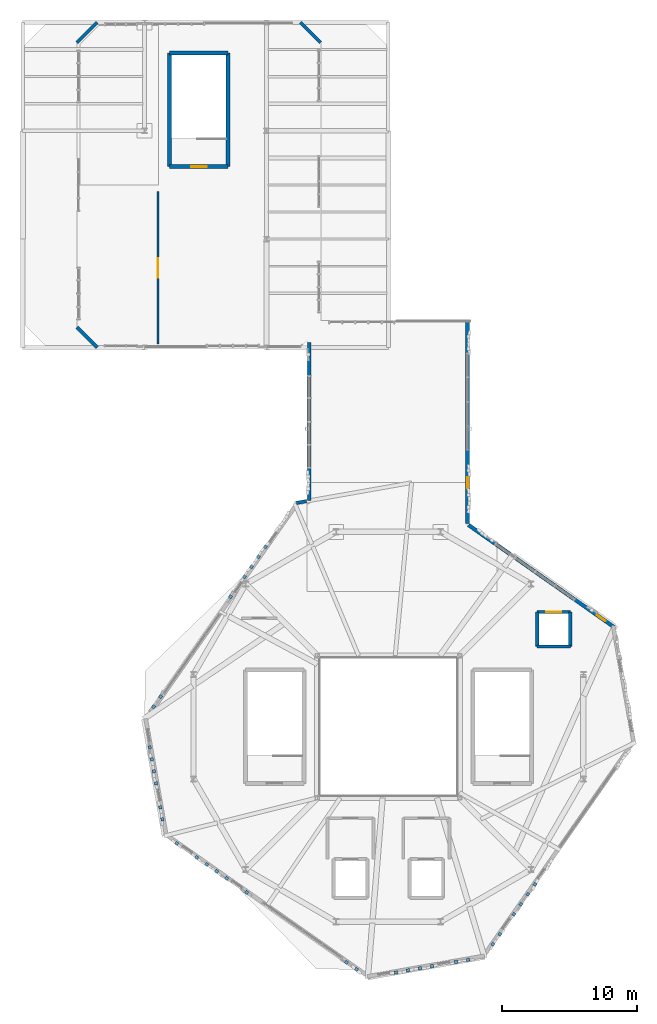
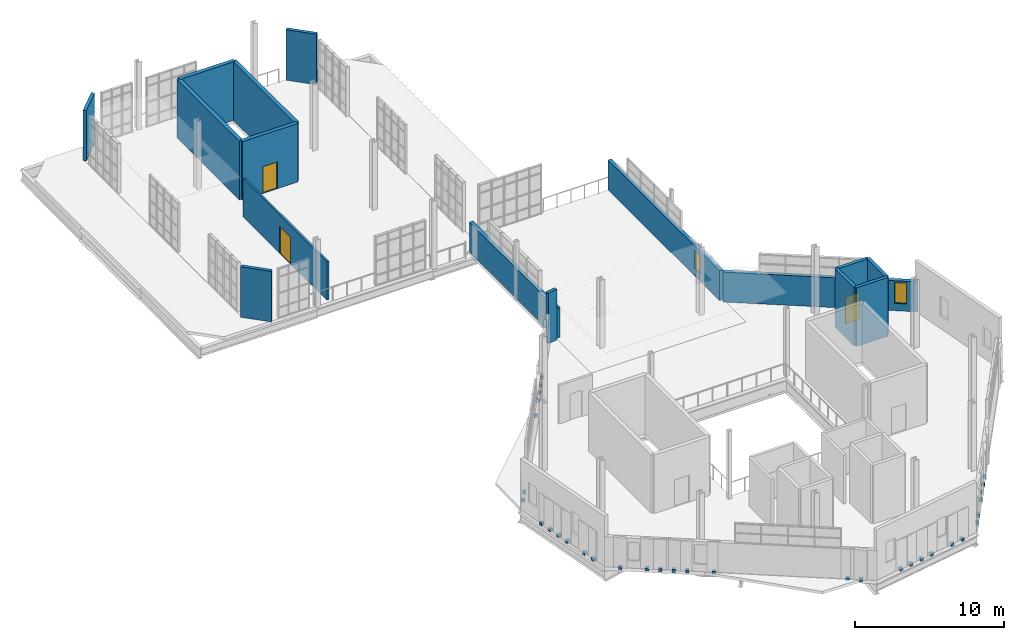
# One storey, part 33 of 36: 33 discrete accessories, 16 walls, 3 doors, 2 windows, 5 openings.
"""IFC4 building model written with IfcOpenShell, lengths in metres."""

import ifcopenshell
import ifcopenshell.guid

model = None  # the IFC model being written
_history = None  # IfcOwnerHistory: only IFC2X3 demands one
_inside = {}  # id of a spatial element -> (the spatial element, [elements in it])
_under = {}  # id of a project, library or spatial element -> (it, [spatial elements below it])
_declared = {}  # id of a project -> (the project, [libraries it declares])
_typed = {}  # id of a type object -> (the type object, [elements of that type])
_made_of = {}  # id of a material, layer set ... -> (it, [elements and type objects made of it])


def new_model(schema):
    """Start an empty IFC model of exactly this schema.

    Asked for "IFC4X3", IfcOpenShell would pick the latest addendum, in which some entities
    have other attributes; the version numbers below select the first issue.
    IFC2X3 requires an IfcOwnerHistory on every rooted entity: one is made here for all.
    """
    global model, _history
    if schema == "IFC4X3":
        model = ifcopenshell.file(schema_version=(4, 3, 0, 0))
    else:
        model = ifcopenshell.file(schema=schema)
    _inside.clear()
    _under.clear()
    _declared.clear()
    _typed.clear()
    _made_of.clear()
    _history = None
    if model.schema == "IFC2X3":
        org = make("IfcOrganization", Name="unknown")
        user = make(
            "IfcPersonAndOrganization",
            ThePerson=make("IfcPerson", FamilyName="unknown"),
            TheOrganization=org,
        )
        app = make(
            "IfcApplication",
            ApplicationDeveloper=org,
            Version="unknown",
            ApplicationFullName="unknown",
            ApplicationIdentifier="unknown",
        )
        _history = make(
            "IfcOwnerHistory",
            OwningUser=user,
            OwningApplication=app,
            ChangeAction="ADDED",
            CreationDate=0,
        )
    return model


def make(cls, **values):
    """One entity of the class cls with the attributes given. An attribute that is None is left unset."""
    return model.create_entity(
        cls, **{name: value for name, value in values.items() if value is not None}
    )


def rooted(cls, **values):
    """An entity with a GlobalId (a new one), such as an element, a storey or a relation."""
    return make(cls, GlobalId=ifcopenshell.guid.new(), OwnerHistory=_history, **values)


def si_unit(unit_type, name, prefix=None):
    """IfcSIUnit, for example si_unit("LENGTHUNIT", "METRE", prefix="MILLI")."""
    return make("IfcSIUnit", UnitType=unit_type, Prefix=prefix, Name=name)


def assignment(units):
    """IfcUnitAssignment: the units of a project."""
    return None if units is None else make("IfcUnitAssignment", Units=units)


def point(xyz):
    """IfcCartesianPoint."""
    return None if xyz is None else make("IfcCartesianPoint", Coordinates=xyz)


def direction(xyz):
    """IfcDirection."""
    return None if xyz is None else make("IfcDirection", DirectionRatios=xyz)


def frame(location, z_axis=None, x_axis=None):
    """IfcAxis2Placement3D, a coordinate frame: its origin and axes. An axis left out is left unset."""
    return make(
        "IfcAxis2Placement3D",
        Location=point(location),
        Axis=direction(z_axis),
        RefDirection=direction(x_axis),
    )


def frame_2d(location, x_axis=None):
    """IfcAxis2Placement2D, a coordinate frame in the plane: its origin and x axis."""
    return make(
        "IfcAxis2Placement2D", Location=point(location), RefDirection=direction(x_axis)
    )


def origin():
    """The frame at (0, 0, 0) with its axes left unset."""
    return frame((0.0, 0.0, 0.0))


def place(relative_to, where):
    """IfcLocalPlacement: puts the frame where relative to a parent placement (None: the world)."""
    return make(
        "IfcLocalPlacement", PlacementRelTo=relative_to, RelativePlacement=where
    )


def context(
    kind, dimensions, precision=None, world=None, true_north=None, identifier=None
):
    """IfcGeometricRepresentationContext, for example the 3D "Model" context."""
    return make(
        "IfcGeometricRepresentationContext",
        ContextIdentifier=identifier,
        ContextType=kind,
        CoordinateSpaceDimension=dimensions,
        Precision=precision,
        WorldCoordinateSystem=world,
        TrueNorth=true_north,
    )


def subcontext(parent, identifier, kind, view, scale=None):
    """IfcGeometricRepresentationSubContext, for example "Body" below "Model"."""
    return make(
        "IfcGeometricRepresentationSubContext",
        ContextIdentifier=identifier,
        ContextType=kind,
        ParentContext=parent,
        TargetScale=scale,
        TargetView=view,
    )


def project(units=None, contexts=None):
    """IfcProject with its units and contexts."""
    return rooted(
        "IfcProject",
        Name="project",
        RepresentationContexts=contexts,
        UnitsInContext=assignment(units),
    )


def spatial(cls, under=None, at=None, **own):
    """A site, building, storey or space (cls), placed at a placement, below another one or the project."""
    s = rooted(cls, ObjectPlacement=at, **own)
    if under is not None:
        _under.setdefault(under.id(), (under, []))[1].append(s)
    return s


def polyline(points):
    """IfcPolyline through the points."""
    return make("IfcPolyline", Points=[point(p) for p in points])


def profile(cls, at=None, kind="AREA", **sizes):
    """A parametric profile (cls). Its sizes go by their IFC names, for example OverallWidth=200.0."""
    return make(cls, ProfileType=kind, Position=at, **sizes)


def rectangle(**sizes):
    """IfcRectangleProfileDef."""
    return profile("IfcRectangleProfileDef", **sizes)


def outline(outer, holes=None, kind="AREA"):
    """IfcArbitraryClosedProfileDef: a profile drawn as a closed curve; with holes, ...WithVoids."""
    if holes is None:
        return make("IfcArbitraryClosedProfileDef", ProfileType=kind, OuterCurve=outer)
    return make(
        "IfcArbitraryProfileDefWithVoids",
        ProfileType=kind,
        OuterCurve=outer,
        InnerCurves=holes,
    )


def extrude(swept, where, along, depth):
    """IfcExtrudedAreaSolid: the profile swept, set in the frame where, extruded along a direction by depth."""
    return make(
        "IfcExtrudedAreaSolid",
        SweptArea=swept,
        Position=where,
        ExtrudedDirection=direction(along),
        Depth=depth,
    )


def shape(context_of_items, identifier, shape_type, items):
    """IfcShapeRepresentation: the items that make up one representation, for example the "Body"."""
    return make(
        "IfcShapeRepresentation",
        ContextOfItems=context_of_items,
        RepresentationIdentifier=identifier,
        RepresentationType=shape_type,
        Items=items,
    )


def material(Name=None, Category=None):
    """IfcMaterial."""
    return make("IfcMaterial", Name=Name, Category=Category)


def layer(
    of_material, thickness, ventilated=None, Name=None, Category=None, Priority=None
):
    """IfcMaterialLayer: one layer of a wall or slab, of a material (None: an air gap)."""
    return make(
        "IfcMaterialLayer",
        Material=of_material,
        LayerThickness=thickness,
        IsVentilated=ventilated,
        Name=Name,
        Category=Category,
        Priority=Priority,
    )


def layer_set(layers, Name=None):
    """IfcMaterialLayerSet."""
    return make("IfcMaterialLayerSet", MaterialLayers=layers, LayerSetName=Name)


def made_of(thing, what):
    """Note that an element or type object is made of a material, layer set ...; save() writes the relation."""
    if what is not None:
        _made_of.setdefault(what.id(), (what, []))[1].append(thing)
    return thing


def type_object(cls, material=None, **own):
    """A type object (cls), such as IfcWallType, which elements share."""
    return made_of(rooted(cls, **own), material)


def element(
    cls,
    number,
    at=None,
    inside=None,
    cuts=None,
    type_object=None,
    material=None,
    context=None,
    identifier="Body",
    shape_type=None,
    held_by="IfcProductDefinitionShape",
    body=None,
    shapes=None,
    **own,
):
    """One element of the class cls, such as IfcWall. Its Tag is "e" and its number.

    at: its placement. inside: the storey or other place that contains it. cuts: it is an
    opening in that element (IfcRelVoidsElement). A single representation is given by context,
    identifier, shape_type and body (its items); several are given by shapes. held_by: the class
    of the entity that holds the representations. save() writes the other relations.
    """
    e = rooted(cls, Tag="e%d" % number, ObjectPlacement=at, **own)
    if body is not None:
        shapes = [shape(context, identifier, shape_type, body)]
    if shapes is not None:
        e.Representation = make(held_by, Representations=shapes)
    if inside is not None:
        _inside.setdefault(inside.id(), (inside, []))[1].append(e)
    if cuts is not None:
        rooted(
            "IfcRelVoidsElement", RelatingBuildingElement=cuts, RelatedOpeningElement=e
        )
    if type_object is not None:
        _typed.setdefault(type_object.id(), (type_object, []))[1].append(e)
    return made_of(e, material)


def fill(opening, filler):
    """IfcRelFillsElement: the door or window that sits in an opening."""
    return rooted(
        "IfcRelFillsElement",
        RelatingOpeningElement=opening,
        RelatedBuildingElement=filler,
    )


def aggregate(whole, parts):
    """IfcRelAggregates: a whole, such as a stair, and the parts it consists of."""
    return rooted("IfcRelAggregates", RelatingObject=whole, RelatedObjects=parts)


def save(model, path):
    """Write the relations noted so far, then the file.

    IfcRelAggregates (storeys below a building ...), IfcRelContainedInSpatialStructure (elements
    in a storey), IfcRelDefinesByType, IfcRelAssociatesMaterial and IfcRelDeclares: one each for
    every whole, place, type object, material and project.
    """
    for whole, parts in _under.values():
        aggregate(whole, parts)
    for where, things in _inside.values():
        rooted(
            "IfcRelContainedInSpatialStructure",
            RelatedElements=things,
            RelatingStructure=where,
        )
    for kind, things in _typed.values():
        rooted("IfcRelDefinesByType", RelatedObjects=things, RelatingType=kind)
    for what, things in _made_of.values():
        rooted("IfcRelAssociatesMaterial", RelatedObjects=things, RelatingMaterial=what)
    for by, libraries in _declared.values():
        rooted("IfcRelDeclares", RelatingContext=by, RelatedDefinitions=libraries)
    model.write(path)


model = new_model("IFC4")

# Units and contexts
model_context = context("Model", 3, precision=1e-05, world=origin(), true_north=direction((0.0, 1.0)))
body_context = subcontext(model_context, "Body", "Model", "MODEL_VIEW")
ifc_project = project(units=[si_unit("LENGTHUNIT", "METRE"), si_unit("AREAUNIT", "SQUARE_METRE"), si_unit("VOLUMEUNIT", "CUBIC_METRE"), si_unit("PLANEANGLEUNIT", "RADIAN"), si_unit("MASSUNIT", "GRAM", prefix="KILO"), si_unit("THERMODYNAMICTEMPERATUREUNIT", "KELVIN"), si_unit("POWERUNIT", "WATT")], contexts=[model_context])

# Site, building, storey
site_placement = place(None, origin())
site = spatial("IfcSite", under=ifc_project, at=site_placement, CompositionType="ELEMENT")
building_placement = place(site_placement, origin())
building = spatial("IfcBuilding", under=site, at=building_placement, Name="Zelmaris Science Centre", CompositionType="ELEMENT")
storey_placement = place(building_placement, frame((0.0, 0.0, 25.199951171875)))
storey = spatial("IfcBuildingStorey", under=building, at=storey_placement, Name="L05", CompositionType="ELEMENT", Elevation=25.199951171875)

# Wall, opening, door
ifc_material_1 = material(Name="Concrete C40/50", Category="concrete")
ifc_layer_1 = layer(ifc_material_1, 0.300048828125, Name="Concrete C40/50")
ifc_layer_set_1 = layer_set([ifc_layer_1], Name="Concrete C40/50")
wall_type_1 = type_object("IfcWallType", Name="Core Shear Wall CW-S1 300mm", PredefinedType="SOLIDWALL", material=ifc_layer_set_1)
wall_1_placement = place(storey_placement, frame((69.14990234375, 77.35009765625, 0.0), z_axis=(0.0, 0.0, 1.0), x_axis=(-1.0, 0.0, 0.0)))
wall_1 = element("IfcWall", 1, at=wall_1_placement, inside=storey, type_object=wall_type_1, Name="L05 ST-3 core shear wall near", PredefinedType="SOLIDWALL", context=body_context, shape_type="SweptSolid", body=[
    extrude(rectangle(XDim=4.2998046875, YDim=0.300048828125, at=frame_2d((2.14990234375, 0.0))), origin(), (0.0, 0.0, 1.0), 4.800048828125),
])
opening_1_placement = place(wall_1_placement, frame((1.574951171875, 0.0, 0.0)))
opening_1 = element("IfcOpeningElement", 2, at=opening_1_placement, cuts=wall_1, Name="Opening D-FD90", PredefinedType="OPENING", context=body_context, shape_type="SweptSolid", body=[
    extrude(rectangle(XDim=1.14990234375, YDim=2.199951171875, at=frame_2d((0.574951171875, 1.10009765625))), frame((0.0, 0.159912109375, 0.0), z_axis=(0.0, -1.0, 0.0), x_axis=(1.0, 0.0, 0.0)), (0.0, 0.0, 1.0), 0.320068359375),
])
ifc_material_2 = material(Name="Steel ASTM A36", Category="steel")
door_type_1 = type_object("IfcDoorType", Name="Interior Door D-FD90 1150x2200", OperationType="NOTDEFINED", PredefinedType="DOOR", material=ifc_material_2)
door_1_placement = place(opening_1_placement, origin())
door_1 = element("IfcDoor", 3, at=door_1_placement, inside=storey, type_object=door_type_1, Name="L05 ST-3 exit stair fire door", OperationType="SINGLE_SWING_LEFT", OverallHeight=2.199951171875, OverallWidth=1.14990234375, PredefinedType="DOOR", context=body_context, shape_type="SweptSolid", body=[
    extrude(rectangle(XDim=1.14990234375, YDim=2.199951171875, at=frame_2d((0.574951171875, 1.10009765625))), frame((0.0, 0.02490234375, 0.0), z_axis=(0.0, -1.0, 0.0), x_axis=(1.0, 0.0, 0.0)), (0.0, 0.0, 1.0), 0.050048828125),
])
fill(opening_1, door_1)

# Walls
wall_2_placement = place(storey_placement, frame((69.14990234375, 77.35009765625, 0.0), z_axis=(0.0, 0.0, 1.0), x_axis=(0.0, 1.0, 0.0)))
element("IfcWall", 4, at=wall_2_placement, inside=storey, type_object=wall_type_1, Name="L05 ST-3 core shear wall east", PredefinedType="SOLIDWALL", context=body_context, shape_type="SweptSolid", body=[
    extrude(rectangle(XDim=8.39990234375, YDim=0.300048828125, at=frame_2d((4.199951171875, 0.0))), origin(), (0.0, 0.0, 1.0), 4.800048828125),
])
wall_3_placement = place(storey_placement, frame((69.14990234375, 85.75, 0.0), z_axis=(0.0, 0.0, 1.0), x_axis=(-1.0, 0.0, 0.0)))
element("IfcWall", 5, at=wall_3_placement, inside=storey, type_object=wall_type_1, Name="L05 ST-3 core shear wall far", PredefinedType="SOLIDWALL", context=body_context, shape_type="SweptSolid", body=[
    extrude(rectangle(XDim=4.2998046875, YDim=0.300048828125, at=frame_2d((2.14990234375, 0.0))), origin(), (0.0, 0.0, 1.0), 4.800048828125),
])
wall_4_placement = place(storey_placement, frame((64.85009765625, 77.35009765625, 0.0), z_axis=(0.0, 0.0, 1.0), x_axis=(0.0, 1.0, 0.0)))
element("IfcWall", 6, at=wall_4_placement, inside=storey, type_object=wall_type_1, Name="L05 ST-3 core shear wall west", PredefinedType="SOLIDWALL", context=body_context, shape_type="SweptSolid", body=[
    extrude(rectangle(XDim=8.39990234375, YDim=0.300048828125, at=frame_2d((4.199951171875, 0.0))), origin(), (0.0, 0.0, 1.0), 4.800048828125),
])
ifc_layer_2 = layer(ifc_material_1, 0.25, Name="Concrete C40/50")
ifc_layer_set_2 = layer_set([ifc_layer_2], Name="Concrete C40/50")
wall_type_2 = type_object("IfcWallType", Name="Core Shear Wall CW-S2 250mm", PredefinedType="SOLIDWALL", material=ifc_layer_set_2)
wall_5_placement = place(storey_placement, frame((91.97509765625, 41.925048828125, 0.0), z_axis=(0.0, 0.0, 1.0), x_axis=(1.0, 0.0, 0.0)))
element("IfcWall", 7, at=wall_5_placement, inside=storey, type_object=wall_type_2, Name="L05 LP-01 lift shaft wall -y", PredefinedType="SOLIDWALL", context=body_context, shape_type="SweptSolid", body=[
    extrude(rectangle(XDim=2.449951171875, YDim=0.25, at=frame_2d((1.22509765625, 0.0))), origin(), (0.0, 0.0, 1.0), 4.800048828125),
])
wall_6_placement = place(storey_placement, frame((94.425048828125, 41.925048828125, 0.0), z_axis=(0.0, 0.0, 1.0), x_axis=(0.0, 1.0, 0.0)))
element("IfcWall", 8, at=wall_6_placement, inside=storey, type_object=wall_type_2, Name="L05 LP-01 lift shaft wall +x", PredefinedType="SOLIDWALL", context=body_context, shape_type="SweptSolid", body=[
    extrude(rectangle(XDim=2.550048828125, YDim=0.25, at=frame_2d((1.27490234375, 0.0))), origin(), (0.0, 0.0, 1.0), 4.800048828125),
])

# Wall, opening, door
wall_7_placement = place(storey_placement, frame((94.425048828125, 44.47509765625, 0.0), z_axis=(0.0, 0.0, 1.0), x_axis=(-1.0, 0.0, 0.0)))
wall_7 = element("IfcWall", 9, at=wall_7_placement, inside=storey, type_object=wall_type_2, Name="L05 LP-01 lift shaft wall +y", PredefinedType="SOLIDWALL", context=body_context, shape_type="SweptSolid", body=[
    extrude(rectangle(XDim=2.449951171875, YDim=0.25, at=frame_2d((1.22509765625, 0.0))), origin(), (0.0, 0.0, 1.0), 4.800048828125),
])
opening_2_placement = place(wall_7_placement, frame((0.675048828125, 0.0, 0.0)))
opening_2 = element("IfcOpeningElement", 10, at=opening_2_placement, cuts=wall_7, Name="Opening LD-01", PredefinedType="OPENING", context=body_context, shape_type="SweptSolid", body=[
    extrude(rectangle(XDim=1.10009765625, YDim=2.199951171875, at=frame_2d((0.550048828125, 1.10009765625))), frame((0.0, 0.135009765625, 0.0), z_axis=(0.0, -1.0, 0.0), x_axis=(1.0, 0.0, 0.0)), (0.0, 0.0, 1.0), 0.27001953125),
])
door_type_2 = type_object("IfcDoorType", Name="Interior Door LD-01 1100x2200", OperationType="SLIDING_TO_LEFT", PredefinedType="DOOR", material=ifc_material_2)
door_2_placement = place(opening_2_placement, origin())
door_2 = element("IfcDoor", 11, at=door_2_placement, inside=storey, type_object=door_type_2, Name="Landing door LD-LP-01-L05", OperationType="SLIDING_TO_LEFT", OverallHeight=2.199951171875, OverallWidth=1.10009765625, PredefinedType="DOOR", context=body_context, shape_type="SweptSolid", body=[
    extrude(rectangle(XDim=1.10009765625, YDim=2.199951171875, at=frame_2d((0.550048828125, 1.10009765625))), frame((0.0, 0.02490234375, 0.0), z_axis=(0.0, -1.0, 0.0), x_axis=(1.0, 0.0, 0.0)), (0.0, 0.0, 1.0), 0.050048828125),
])
fill(opening_2, door_2)

# Wall
wall_8_placement = place(storey_placement, frame((91.97509765625, 44.47509765625, 0.0), z_axis=(0.0, 0.0, 1.0), x_axis=(0.0, -1.0, 0.0)))
element("IfcWall", 12, at=wall_8_placement, inside=storey, type_object=wall_type_2, Name="L05 LP-01 lift shaft wall -x", PredefinedType="SOLIDWALL", context=body_context, shape_type="SweptSolid", body=[
    extrude(rectangle(XDim=2.550048828125, YDim=0.25, at=frame_2d((1.27490234375, 0.0))), origin(), (0.0, 0.0, 1.0), 4.800048828125),
])

# Wall, opening, window
ifc_material_3 = material(Name="Precast concrete C40/50", Category="concrete")
ifc_layer_3 = layer(ifc_material_3, 0.280029296875, Name="Precast concrete C40/50")
ifc_layer_set_3 = layer_set([ifc_layer_3], Name="Precast concrete C40/50")
wall_type_3 = type_object("IfcWallType", Name="Exterior Wall EW-05 280mm", PredefinedType="SOLIDWALL", material=ifc_layer_set_3)
wall_9_placement = place(storey_placement, frame((86.83984375, 66.0, 0.0), z_axis=(0.0, 0.0, 1.0), x_axis=(0.000456419989, -0.99999989584, 0.0)))
wall_9 = element("IfcWall", 13, at=wall_9_placement, inside=storey, type_object=wall_type_3, Name="L05 Exterior wall 154", PredefinedType="SOLIDWALL", context=body_context, shape_type="SweptSolid", body=[
    extrude(rectangle(XDim=14.977294921875, YDim=0.280029296875, at=frame_2d((7.48876953125, 0.0))), origin(), (0.0, 0.0, 1.0), 2.449951171875),
])
opening_3_placement = place(wall_9_placement, frame((11.588623046875, 0.0, 0.60009765625)))
opening_3 = element("IfcOpeningElement", 14, at=opening_3_placement, cuts=wall_9, Name="Opening W-TR1", PredefinedType="OPENING", context=body_context, shape_type="SweptSolid", body=[
    extrude(rectangle(XDim=0.800048828125, YDim=1.5, at=frame_2d((0.39990234375, 0.75))), frame((0.0, 0.14990234375, 0.0), z_axis=(0.0, -1.0, 0.0), x_axis=(1.0, 0.0, 0.0)), (0.0, 0.0, 1.0), 0.300048828125),
])
ifc_material_4 = material(Name="Laminated hurricane-rated low-E insulated glazing", Category="glass")
window_type_1 = type_object("IfcWindowType", Name="Window W-TR1 800x1500", PartitioningType="SINGLE_PANEL", PredefinedType="WINDOW", material=ifc_material_4)
window_1_placement = place(opening_3_placement, origin())
window_1 = element("IfcWindow", 15, at=window_1_placement, inside=storey, type_object=window_type_1, Name="L05 Triangular faceted window 106", OverallHeight=1.5, OverallWidth=0.800048828125, PartitioningType="SINGLE_PANEL", PredefinedType="WINDOW", context=body_context, shape_type="SweptSolid", body=[
    extrude(rectangle(XDim=0.800048828125, YDim=1.5, at=frame_2d((0.39990234375, 0.75))), frame((0.0, 0.030029296875, 0.0), z_axis=(0.0, -1.0, 0.0), x_axis=(1.0, 0.0, 0.0)), (0.0, 0.0, 1.0), 0.06005859375),
])
fill(opening_3, window_1)

wall_10_placement = place(storey_placement, frame((86.914794921875, 50.8916015625, 0.0), z_axis=(0.0, 0.0, 1.0), x_axis=(0.818859952537, -0.573993360704, 0.0)))
wall_10 = element("IfcWall", 16, at=wall_10_placement, inside=storey, type_object=wall_type_3, Name="L05 Exterior wall 155", PredefinedType="SOLIDWALL", context=body_context, shape_type="SweptSolid", body=[
    extrude(rectangle(XDim=13.111083984375, YDim=0.280029296875, at=frame_2d((6.5556640625, 0.0))), origin(), (0.0, 0.0, 1.0), 2.449951171875),
])
opening_4_placement = place(wall_10_placement, frame((11.555419921875, 0.0, 0.60009765625)))
opening_4 = element("IfcOpeningElement", 17, at=opening_4_placement, cuts=wall_10, Name="Opening W-TR2", PredefinedType="OPENING", context=body_context, shape_type="SweptSolid", body=[
    extrude(rectangle(XDim=0.800048828125, YDim=1.699951171875, at=frame_2d((0.39990234375, 0.85009765625))), frame((0.0, 0.14990234375, 0.0), z_axis=(0.0, -1.0, 0.0), x_axis=(1.0, 0.0, 0.0)), (0.0, 0.0, 1.0), 0.300048828125),
])
window_type_2 = type_object("IfcWindowType", Name="Window W-TR2 800x1700", PartitioningType="SINGLE_PANEL", PredefinedType="WINDOW", material=ifc_material_4)
window_2_placement = place(opening_4_placement, origin())
window_2 = element("IfcWindow", 18, at=window_2_placement, inside=storey, type_object=window_type_2, Name="L05 Triangular faceted window 107", OverallHeight=1.699951171875, OverallWidth=0.800048828125, PartitioningType="SINGLE_PANEL", PredefinedType="WINDOW", context=body_context, shape_type="SweptSolid", body=[
    extrude(rectangle(XDim=0.800048828125, YDim=1.699951171875, at=frame_2d((0.39990234375, 0.85009765625))), frame((0.0, 0.030029296875, 0.0), z_axis=(0.0, -1.0, 0.0), x_axis=(1.0, 0.0, 0.0)), (0.0, 0.0, 1.0), 0.06005859375),
])
fill(opening_4, window_2)

# Walls
wall_11_placement = place(storey_placement, frame((75.1552734375, 52.689697265625, 0.0), z_axis=(0.0, 0.0, 1.0), x_axis=(0.000376521749, 0.999999929116, 0.0)))
element("IfcWall", 19, at=wall_11_placement, inside=storey, type_object=wall_type_3, Name="L05 Exterior wall 163", PredefinedType="SOLIDWALL", context=body_context, shape_type="SweptSolid", body=[
    extrude(rectangle(XDim=11.67138671875, YDim=0.280029296875, at=frame_2d((5.835693359375, 0.0))), origin(), (0.0, 0.0, 1.0), 2.449951171875),
])
ifc_layer_4 = layer(ifc_material_3, 0.239990234375, Name="Precast concrete C40/50")
ifc_layer_set_4 = layer_set([ifc_layer_4], Name="Precast concrete C40/50")
wall_type_4 = type_object("IfcWallType", Name="Exterior Wall EW-07 240mm", PredefinedType="SOLIDWALL", material=ifc_layer_set_4)
wall_12_placement = place(storey_placement, frame((58.0, 86.49853515625, 0.0), z_axis=(0.0, 0.0, 1.0), x_axis=(0.707106781187, 0.707106781187, 0.0)))
element("IfcWall", 20, at=wall_12_placement, inside=storey, type_object=wall_type_4, Name="L05 Exterior wall 152", PredefinedType="SOLIDWALL", context=body_context, shape_type="SweptSolid", body=[
    extrude(rectangle(XDim=2.123291015625, YDim=0.239990234375, at=frame_2d((1.0615234375, 0.0))), origin(), (0.0, 0.0, 1.0), 4.14013671875),
])
wall_13_placement = place(storey_placement, frame((74.5, 88.0, 0.0), z_axis=(0.0, 0.0, 1.0), x_axis=(0.707106781187, -0.707106781187, 0.0)))
element("IfcWall", 21, at=wall_13_placement, inside=storey, type_object=wall_type_4, Name="L05 Exterior wall 153", PredefinedType="SOLIDWALL", context=body_context, shape_type="SweptSolid", body=[
    extrude(rectangle(XDim=2.119873046875, YDim=0.239990234375, at=frame_2d((1.06005859375, 0.0))), origin(), (0.0, 0.0, 1.0), 4.14013671875),
])
wall_14_placement = place(storey_placement, frame((74.20849609375, 52.522216796875, 0.0), z_axis=(0.0, 0.0, 1.0), x_axis=(0.984633151957, 0.174635494868, 0.0)))
element("IfcWall", 22, at=wall_14_placement, inside=storey, type_object=wall_type_4, Name="L05 Exterior wall 162", PredefinedType="SOLIDWALL", context=body_context, shape_type="SweptSolid", body=[
    extrude(rectangle(XDim=0.75341796875, YDim=0.239990234375, at=frame_2d((0.376708984375, 0.0))), origin(), (0.0, 0.0, 1.0), 4.14013671875),
])
wall_15_placement = place(storey_placement, frame((59.5, 64.0, 0.0), z_axis=(0.0, 0.0, 1.0), x_axis=(-0.707106781187, 0.707106781187, 0.0)))
element("IfcWall", 23, at=wall_15_placement, inside=storey, type_object=wall_type_4, Name="L05 Exterior wall 164", PredefinedType="SOLIDWALL", context=body_context, shape_type="SweptSolid", body=[
    extrude(rectangle(XDim=2.121337890625, YDim=0.239990234375, at=frame_2d((1.060546875, 0.0))), origin(), (0.0, 0.0, 1.0), 4.14013671875),
])

# Wall, opening, door
ifc_material_5 = material(Name="Fire-rated gypsum board on steel studs", Category="steel")
ifc_layer_5 = layer(ifc_material_5, 0.159912109375, Name="Fire-rated gypsum board on steel studs")
ifc_layer_set_5 = layer_set([ifc_layer_5], Name="Fire-rated gypsum board on steel studs")
wall_type_5 = type_object("IfcWallType", Name="Interior Wall PT-08 160mm", PredefinedType="PARTITIONING", material=ifc_layer_set_5)
wall_16_placement = place(storey_placement, frame((63.9951171875, 75.5, 0.0), z_axis=(0.0, 0.0, 1.0), x_axis=(0.0, -1.0, 0.0)))
wall_16 = element("IfcWall", 24, at=wall_16_placement, inside=storey, type_object=wall_type_5, Name="L05 Solar Coelostat Observatory Pavilion partition 71", PredefinedType="PARTITIONING", context=body_context, shape_type="SweptSolid", body=[
    extrude(rectangle(XDim=11.25, YDim=0.159912109375, at=frame_2d((5.625, 0.0))), origin(), (0.0, 0.0, 1.0), 3.150146484375),
])
opening_5_placement = place(wall_16_placement, frame((4.89990234375, 0.0, 0.0)))
opening_5 = element("IfcOpeningElement", 25, at=opening_5_placement, cuts=wall_16, Name="Opening D-IN13", PredefinedType="OPENING", context=body_context, shape_type="SweptSolid", body=[
    extrude(rectangle(XDim=1.449951171875, YDim=2.199951171875, at=frame_2d((0.72509765625, 1.10009765625))), frame((0.0, 0.08984375, 0.0), z_axis=(0.0, -1.0, 0.0), x_axis=(1.0, 0.0, 0.0)), (0.0, 0.0, 1.0), 0.179931640625),
])
door_type_3 = type_object("IfcDoorType", Name="Interior Door D-IN13 1450x2200", OperationType="NOTDEFINED", PredefinedType="DOOR", material=ifc_material_2)
door_3_placement = place(opening_5_placement, origin())
door_3 = element("IfcDoor", 26, at=door_3_placement, inside=storey, type_object=door_type_3, Name="L05 Solar Coelostat Observatory Pavilion door", OperationType="SINGLE_SWING_LEFT", OverallHeight=2.199951171875, OverallWidth=1.449951171875, PredefinedType="DOOR", context=body_context, shape_type="SweptSolid", body=[
    extrude(rectangle(XDim=1.449951171875, YDim=2.199951171875, at=frame_2d((0.72509765625, 1.10009765625))), frame((0.0, 0.02490234375, 0.0), z_axis=(0.0, -1.0, 0.0), x_axis=(1.0, 0.0, 0.0)), (0.0, 0.0, 1.0), 0.050048828125),
])
fill(opening_5, door_3)

# Discrete accessories
ifc_material_6 = material(Name="Galvanised steel ASTM A500 Grade B", Category="steel")
discrete_accessory_type = type_object("IfcDiscreteAccessoryType", Name="Facade Bracket BK-01", PredefinedType="BRACKET", material=ifc_material_6)
discrete_accessory_1_placement = place(storey_placement, frame((0.0, 0.0, -0.139892578125)))
element("IfcDiscreteAccessory", 27, at=discrete_accessory_1_placement, inside=storey, type_object=discrete_accessory_type, Name="L05 Facade anchorage bracket 239", PredefinedType="BRACKET", context=body_context, shape_type="SweptSolid", body=[
    extrude(outline(polyline([(91.785400390625, 24.52880859375), (91.647705078125, 24.33203125), (91.83740234375, 24.19921875), (91.97509765625, 24.395751953125), (91.785400390625, 24.52880859375)])), origin(), (0.0, 0.0, 1.0), 0.239990234375),
])
discrete_accessory_2_placement = place(storey_placement, frame((0.0, 0.0, -0.139892578125)))
element("IfcDiscreteAccessory", 28, at=discrete_accessory_2_placement, inside=storey, type_object=discrete_accessory_type, Name="L05 Facade anchorage bracket 240", PredefinedType="BRACKET", context=body_context, shape_type="SweptSolid", body=[
    extrude(outline(polyline([(91.269287109375, 23.79150390625), (91.131591796875, 23.5947265625), (91.3212890625, 23.4619140625), (91.458984375, 23.65869140625), (91.269287109375, 23.79150390625)])), origin(), (0.0, 0.0, 1.0), 0.239990234375),
])
discrete_accessory_3_placement = place(storey_placement, frame((0.0, 0.0, -0.139892578125)))
element("IfcDiscreteAccessory", 29, at=discrete_accessory_3_placement, inside=storey, type_object=discrete_accessory_type, Name="L05 Facade anchorage bracket 241", PredefinedType="BRACKET", context=body_context, shape_type="SweptSolid", body=[
    extrude(outline(polyline([(90.7529296875, 23.05419921875), (90.615234375, 22.857666015625), (90.804931640625, 22.724853515625), (90.942626953125, 22.92138671875), (90.7529296875, 23.05419921875)])), origin(), (0.0, 0.0, 1.0), 0.239990234375),
])
discrete_accessory_4_placement = place(storey_placement, frame((0.0, 0.0, -0.139892578125)))
element("IfcDiscreteAccessory", 30, at=discrete_accessory_4_placement, inside=storey, type_object=discrete_accessory_type, Name="L05 Facade anchorage bracket 242", PredefinedType="BRACKET", context=body_context, shape_type="SweptSolid", body=[
    extrude(outline(polyline([(90.23681640625, 22.31689453125), (90.09912109375, 22.120361328125), (90.288818359375, 21.987548828125), (90.426513671875, 22.18408203125), (90.23681640625, 22.31689453125)])), origin(), (0.0, 0.0, 1.0), 0.239990234375),
])
discrete_accessory_5_placement = place(storey_placement, frame((0.0, 0.0, -0.139892578125)))
element("IfcDiscreteAccessory", 31, at=discrete_accessory_5_placement, inside=storey, type_object=discrete_accessory_type, Name="L05 Facade anchorage bracket 243", PredefinedType="BRACKET", context=body_context, shape_type="SweptSolid", body=[
    extrude(outline(polyline([(89.204345703125, 20.842529296875), (89.066650390625, 20.64599609375), (89.25634765625, 20.51318359375), (89.39404296875, 20.709716796875), (89.204345703125, 20.842529296875)])), origin(), (0.0, 0.0, 1.0), 0.239990234375),
])
discrete_accessory_6_placement = place(storey_placement, frame((0.0, 0.0, -0.139892578125)))
element("IfcDiscreteAccessory", 32, at=discrete_accessory_6_placement, inside=storey, type_object=discrete_accessory_type, Name="L05 Facade anchorage bracket 244", PredefinedType="BRACKET", context=body_context, shape_type="SweptSolid", body=[
    extrude(outline(polyline([(88.68798828125, 20.105224609375), (88.550537109375, 19.90869140625), (88.740234375, 19.77587890625), (88.877685546875, 19.972412109375), (88.68798828125, 20.105224609375)])), origin(), (0.0, 0.0, 1.0), 0.239990234375),
])
discrete_accessory_7_placement = place(storey_placement, frame((0.0, 0.0, -0.139892578125)))
element("IfcDiscreteAccessory", 33, at=discrete_accessory_7_placement, inside=storey, type_object=discrete_accessory_type, Name="L05 Facade anchorage bracket 245", PredefinedType="BRACKET", context=body_context, shape_type="SweptSolid", body=[
    extrude(outline(polyline([(86.977294921875, 18.933349609375), (86.740966796875, 18.8916015625), (86.78125, 18.66357421875), (87.017578125, 18.705078125), (86.977294921875, 18.933349609375)])), origin(), (0.0, 0.0, 1.0), 0.239990234375),
])
discrete_accessory_8_placement = place(storey_placement, frame((0.0, 0.0, -0.139892578125)))
element("IfcDiscreteAccessory", 34, at=discrete_accessory_8_placement, inside=storey, type_object=discrete_accessory_type, Name="L05 Facade anchorage bracket 246", PredefinedType="BRACKET", context=body_context, shape_type="SweptSolid", body=[
    extrude(outline(polyline([(86.091064453125, 18.777099609375), (85.854736328125, 18.7353515625), (85.89501953125, 18.507080078125), (86.131103515625, 18.548828125), (86.091064453125, 18.777099609375)])), origin(), (0.0, 0.0, 1.0), 0.239990234375),
])
discrete_accessory_9_placement = place(storey_placement, frame((0.0, 0.0, -0.139892578125)))
element("IfcDiscreteAccessory", 35, at=discrete_accessory_9_placement, inside=storey, type_object=discrete_accessory_type, Name="L05 Facade anchorage bracket 247", PredefinedType="BRACKET", context=body_context, shape_type="SweptSolid", body=[
    extrude(outline(polyline([(84.318359375, 18.46435546875), (84.08203125, 18.422607421875), (84.122314453125, 18.194580078125), (84.358642578125, 18.236328125), (84.318359375, 18.46435546875)])), origin(), (0.0, 0.0, 1.0), 0.239990234375),
])
discrete_accessory_10_placement = place(storey_placement, frame((0.0, 0.0, -0.139892578125)))
element("IfcDiscreteAccessory", 36, at=discrete_accessory_10_placement, inside=storey, type_object=discrete_accessory_type, Name="L05 Facade anchorage bracket 248", PredefinedType="BRACKET", context=body_context, shape_type="SweptSolid", body=[
    extrude(outline(polyline([(83.431884765625, 18.30810546875), (83.19580078125, 18.2666015625), (83.23583984375, 18.038330078125), (83.472412109375, 18.080078125), (83.431884765625, 18.30810546875)])), origin(), (0.0, 0.0, 1.0), 0.239990234375),
])
discrete_accessory_11_placement = place(storey_placement, frame((0.0, 0.0, -0.139892578125)))
element("IfcDiscreteAccessory", 37, at=discrete_accessory_11_placement, inside=storey, type_object=discrete_accessory_type, Name="L05 Facade anchorage bracket 249", PredefinedType="BRACKET", context=body_context, shape_type="SweptSolid", body=[
    extrude(outline(polyline([(82.545654296875, 18.15185546875), (82.309326171875, 18.110107421875), (82.349609375, 17.882080078125), (82.5859375, 17.923828125), (82.545654296875, 18.15185546875)])), origin(), (0.0, 0.0, 1.0), 0.239990234375),
])
discrete_accessory_12_placement = place(storey_placement, frame((0.0, 0.0, -0.139892578125)))
element("IfcDiscreteAccessory", 38, at=discrete_accessory_12_placement, inside=storey, type_object=discrete_accessory_type, Name="L05 Facade anchorage bracket 250", PredefinedType="BRACKET", context=body_context, shape_type="SweptSolid", body=[
    extrude(outline(polyline([(81.659423828125, 17.99560546875), (81.423095703125, 17.953857421875), (81.46337890625, 17.725830078125), (81.69970703125, 17.767578125), (81.659423828125, 17.99560546875)])), origin(), (0.0, 0.0, 1.0), 0.239990234375),
])
discrete_accessory_13_placement = place(storey_placement, frame((0.0, 0.0, -0.139892578125)))
element("IfcDiscreteAccessory", 39, at=discrete_accessory_13_placement, inside=storey, type_object=discrete_accessory_type, Name="L05 Facade anchorage bracket 251", PredefinedType="BRACKET", context=body_context, shape_type="SweptSolid", body=[
    extrude(outline(polyline([(78.806884765625, 18.118896484375), (78.610107421875, 18.256591796875), (78.477294921875, 18.06689453125), (78.673828125, 17.92919921875), (78.806884765625, 18.118896484375)])), origin(), (0.0, 0.0, 1.0), 0.239990234375),
])
discrete_accessory_14_placement = place(storey_placement, frame((0.0, 0.0, -0.139892578125)))
element("IfcDiscreteAccessory", 40, at=discrete_accessory_14_placement, inside=storey, type_object=discrete_accessory_type, Name="L05 Facade anchorage bracket 252", PredefinedType="BRACKET", context=body_context, shape_type="SweptSolid", body=[
    extrude(outline(polyline([(78.069580078125, 18.635009765625), (77.872802734375, 18.772705078125), (77.739990234375, 18.5830078125), (77.936767578125, 18.4453125), (78.069580078125, 18.635009765625)])), origin(), (0.0, 0.0, 1.0), 0.239990234375),
])
discrete_accessory_15_placement = place(storey_placement, frame((0.0, 0.0, -0.139892578125)))
element("IfcDiscreteAccessory", 41, at=discrete_accessory_15_placement, inside=storey, type_object=discrete_accessory_type, Name="L05 Facade anchorage bracket 253", PredefinedType="BRACKET", context=body_context, shape_type="SweptSolid", body=[
    extrude(outline(polyline([(70.697021484375, 23.797119140625), (70.50048828125, 23.934814453125), (70.36767578125, 23.7451171875), (70.564208984375, 23.607421875), (70.697021484375, 23.797119140625)])), origin(), (0.0, 0.0, 1.0), 0.239990234375),
])
discrete_accessory_16_placement = place(storey_placement, frame((0.0, 0.0, -0.139892578125)))
element("IfcDiscreteAccessory", 42, at=discrete_accessory_16_placement, inside=storey, type_object=discrete_accessory_type, Name="L05 Facade anchorage bracket 254", PredefinedType="BRACKET", context=body_context, shape_type="SweptSolid", body=[
    extrude(outline(polyline([(69.22265625, 24.82958984375), (69.026123046875, 24.96728515625), (68.893310546875, 24.777587890625), (69.08984375, 24.639892578125), (69.22265625, 24.82958984375)])), origin(), (0.0, 0.0, 1.0), 0.239990234375),
])
discrete_accessory_17_placement = place(storey_placement, frame((0.0, 0.0, -0.139892578125)))
element("IfcDiscreteAccessory", 43, at=discrete_accessory_17_placement, inside=storey, type_object=discrete_accessory_type, Name="L05 Facade anchorage bracket 255", PredefinedType="BRACKET", context=body_context, shape_type="SweptSolid", body=[
    extrude(outline(polyline([(68.4853515625, 25.345947265625), (68.288818359375, 25.4833984375), (68.156005859375, 25.293701171875), (68.3525390625, 25.156005859375), (68.4853515625, 25.345947265625)])), origin(), (0.0, 0.0, 1.0), 0.239990234375),
])
discrete_accessory_18_placement = place(storey_placement, frame((0.0, 0.0, -0.139892578125)))
element("IfcDiscreteAccessory", 44, at=discrete_accessory_18_placement, inside=storey, type_object=discrete_accessory_type, Name="L05 Facade anchorage bracket 256", PredefinedType="BRACKET", context=body_context, shape_type="SweptSolid", body=[
    extrude(outline(polyline([(67.748291015625, 25.862060546875), (67.551513671875, 25.999755859375), (67.418701171875, 25.81005859375), (67.615234375, 25.67236328125), (67.748291015625, 25.862060546875)])), origin(), (0.0, 0.0, 1.0), 0.239990234375),
])
discrete_accessory_19_placement = place(storey_placement, frame((0.0, 0.0, -0.139892578125)))
element("IfcDiscreteAccessory", 45, at=discrete_accessory_19_placement, inside=storey, type_object=discrete_accessory_type, Name="L05 Facade anchorage bracket 257", PredefinedType="BRACKET", context=body_context, shape_type="SweptSolid", body=[
    extrude(outline(polyline([(67.010986328125, 26.37841796875), (66.814208984375, 26.515869140625), (66.681396484375, 26.326171875), (66.878173828125, 26.188720703125), (67.010986328125, 26.37841796875)])), origin(), (0.0, 0.0, 1.0), 0.239990234375),
])
discrete_accessory_20_placement = place(storey_placement, frame((0.0, 0.0, -0.139892578125)))
element("IfcDiscreteAccessory", 46, at=discrete_accessory_20_placement, inside=storey, type_object=discrete_accessory_type, Name="L05 Facade anchorage bracket 258", PredefinedType="BRACKET", context=body_context, shape_type="SweptSolid", body=[
    extrude(outline(polyline([(65.53662109375, 27.41064453125), (65.33984375, 27.54833984375), (65.20703125, 27.358642578125), (65.403564453125, 27.220947265625), (65.53662109375, 27.41064453125)])), origin(), (0.0, 0.0, 1.0), 0.239990234375),
])
discrete_accessory_21_placement = place(storey_placement, frame((0.0, 0.0, -0.139892578125)))
element("IfcDiscreteAccessory", 47, at=discrete_accessory_21_placement, inside=storey, type_object=discrete_accessory_type, Name="L05 Facade anchorage bracket 259", PredefinedType="BRACKET", context=body_context, shape_type="SweptSolid", body=[
    extrude(outline(polyline([(64.4462890625, 29.064208984375), (64.40478515625, 29.300537109375), (64.176513671875, 29.26025390625), (64.21826171875, 29.02392578125), (64.4462890625, 29.064208984375)])), origin(), (0.0, 0.0, 1.0), 0.239990234375),
])
discrete_accessory_22_placement = place(storey_placement, frame((0.0, 0.0, -0.139892578125)))
element("IfcDiscreteAccessory", 48, at=discrete_accessory_22_placement, inside=storey, type_object=discrete_accessory_type, Name="L05 Facade anchorage bracket 260", PredefinedType="BRACKET", context=body_context, shape_type="SweptSolid", body=[
    extrude(outline(polyline([(64.2900390625, 29.950439453125), (64.248291015625, 30.186767578125), (64.020263671875, 30.146484375), (64.06201171875, 29.910400390625), (64.2900390625, 29.950439453125)])), origin(), (0.0, 0.0, 1.0), 0.239990234375),
])
discrete_accessory_23_placement = place(storey_placement, frame((0.0, 0.0, -0.139892578125)))
element("IfcDiscreteAccessory", 49, at=discrete_accessory_23_placement, inside=storey, type_object=discrete_accessory_type, Name="L05 Facade anchorage bracket 261", PredefinedType="BRACKET", context=body_context, shape_type="SweptSolid", body=[
    extrude(outline(polyline([(63.9775390625, 31.72314453125), (63.935791015625, 31.95947265625), (63.707763671875, 31.919189453125), (63.74951171875, 31.682861328125), (63.9775390625, 31.72314453125)])), origin(), (0.0, 0.0, 1.0), 0.239990234375),
])
discrete_accessory_24_placement = place(storey_placement, frame((0.0, 0.0, -0.139892578125)))
element("IfcDiscreteAccessory", 50, at=discrete_accessory_24_placement, inside=storey, type_object=discrete_accessory_type, Name="L05 Facade anchorage bracket 262", PredefinedType="BRACKET", context=body_context, shape_type="SweptSolid", body=[
    extrude(outline(polyline([(63.8212890625, 32.609619140625), (63.779541015625, 32.845703125), (63.551513671875, 32.8056640625), (63.593017578125, 32.569091796875), (63.8212890625, 32.609619140625)])), origin(), (0.0, 0.0, 1.0), 0.239990234375),
])
discrete_accessory_25_placement = place(storey_placement, frame((0.0, 0.0, -0.139892578125)))
element("IfcDiscreteAccessory", 51, at=discrete_accessory_25_placement, inside=storey, type_object=discrete_accessory_type, Name="L05 Facade anchorage bracket 263", PredefinedType="BRACKET", context=body_context, shape_type="SweptSolid", body=[
    extrude(outline(polyline([(63.664794921875, 33.495849609375), (63.623291015625, 33.732177734375), (63.39501953125, 33.69189453125), (63.436767578125, 33.45556640625), (63.664794921875, 33.495849609375)])), origin(), (0.0, 0.0, 1.0), 0.239990234375),
])
discrete_accessory_26_placement = place(storey_placement, frame((0.0, 0.0, -0.139892578125)))
element("IfcDiscreteAccessory", 52, at=discrete_accessory_26_placement, inside=storey, type_object=discrete_accessory_type, Name="L05 Facade anchorage bracket 264", PredefinedType="BRACKET", context=body_context, shape_type="SweptSolid", body=[
    extrude(outline(polyline([(63.508544921875, 34.382080078125), (63.466796875, 34.618408203125), (63.239013671875, 34.578125), (63.280517578125, 34.341796875), (63.508544921875, 34.382080078125)])), origin(), (0.0, 0.0, 1.0), 0.239990234375),
])
discrete_accessory_27_placement = place(storey_placement, frame((0.0, 0.0, -0.139892578125)))
element("IfcDiscreteAccessory", 53, at=discrete_accessory_27_placement, inside=storey, type_object=discrete_accessory_type, Name="L05 Facade anchorage bracket 265", PredefinedType="BRACKET", context=body_context, shape_type="SweptSolid", body=[
    extrude(outline(polyline([(63.688720703125, 37.316162109375), (63.826416015625, 37.5126953125), (63.63671875, 37.6455078125), (63.4990234375, 37.448974609375), (63.688720703125, 37.316162109375)])), origin(), (0.0, 0.0, 1.0), 0.239990234375),
])
discrete_accessory_28_placement = place(storey_placement, frame((0.0, 0.0, -0.139892578125)))
element("IfcDiscreteAccessory", 54, at=discrete_accessory_28_placement, inside=storey, type_object=discrete_accessory_type, Name="L05 Facade anchorage bracket 266", PredefinedType="BRACKET", context=body_context, shape_type="SweptSolid", body=[
    extrude(outline(polyline([(64.205078125, 38.05322265625), (64.342529296875, 38.25), (64.15283203125, 38.3828125), (64.015380859375, 38.18603515625), (64.205078125, 38.05322265625)])), origin(), (0.0, 0.0, 1.0), 0.239990234375),
])
discrete_accessory_29_placement = place(storey_placement, frame((0.0, 0.0, -0.139892578125)))
element("IfcDiscreteAccessory", 55, at=discrete_accessory_29_placement, inside=storey, type_object=discrete_accessory_type, Name="L05 Facade anchorage bracket 267", PredefinedType="BRACKET", context=body_context, shape_type="SweptSolid", body=[
    extrude(outline(polyline([(69.3671875, 45.42578125), (69.5048828125, 45.622314453125), (69.315185546875, 45.755126953125), (69.177490234375, 45.55859375), (69.3671875, 45.42578125)])), origin(), (0.0, 0.0, 1.0), 0.239990234375),
])
discrete_accessory_30_placement = place(storey_placement, frame((0.0, 0.0, -0.139892578125)))
element("IfcDiscreteAccessory", 56, at=discrete_accessory_30_placement, inside=storey, type_object=discrete_accessory_type, Name="L05 Facade anchorage bracket 268", PredefinedType="BRACKET", context=body_context, shape_type="SweptSolid", body=[
    extrude(outline(polyline([(70.399658203125, 46.900146484375), (70.537109375, 47.0966796875), (70.347412109375, 47.2294921875), (70.2099609375, 47.032958984375), (70.399658203125, 46.900146484375)])), origin(), (0.0, 0.0, 1.0), 0.239990234375),
])
discrete_accessory_31_placement = place(storey_placement, frame((0.0, 0.0, -0.139892578125)))
element("IfcDiscreteAccessory", 57, at=discrete_accessory_31_placement, inside=storey, type_object=discrete_accessory_type, Name="L05 Facade anchorage bracket 269", PredefinedType="BRACKET", context=body_context, shape_type="SweptSolid", body=[
    extrude(outline(polyline([(70.915771484375, 47.637451171875), (71.053466796875, 47.833984375), (70.86376953125, 47.966796875), (70.72607421875, 47.770263671875), (70.915771484375, 47.637451171875)])), origin(), (0.0, 0.0, 1.0), 0.239990234375),
])
discrete_accessory_32_placement = place(storey_placement, frame((0.0, 0.0, -0.139892578125)))
element("IfcDiscreteAccessory", 58, at=discrete_accessory_32_placement, inside=storey, type_object=discrete_accessory_type, Name="L05 Facade anchorage bracket 270", PredefinedType="BRACKET", context=body_context, shape_type="SweptSolid", body=[
    extrude(outline(polyline([(71.431884765625, 48.37451171875), (71.569580078125, 48.5712890625), (71.3798828125, 48.7041015625), (71.2421875, 48.507568359375), (71.431884765625, 48.37451171875)])), origin(), (0.0, 0.0, 1.0), 0.239990234375),
])
discrete_accessory_33_placement = place(storey_placement, frame((0.0, 0.0, -0.139892578125)))
element("IfcDiscreteAccessory", 59, at=discrete_accessory_33_placement, inside=storey, type_object=discrete_accessory_type, Name="L05 Facade anchorage bracket 271", PredefinedType="BRACKET", context=body_context, shape_type="SweptSolid", body=[
    extrude(outline(polyline([(71.9482421875, 49.11181640625), (72.0859375, 49.30859375), (71.896240234375, 49.44140625), (71.758544921875, 49.24462890625), (71.9482421875, 49.11181640625)])), origin(), (0.0, 0.0, 1.0), 0.239990234375),
])

save(model, "model.ifc")
